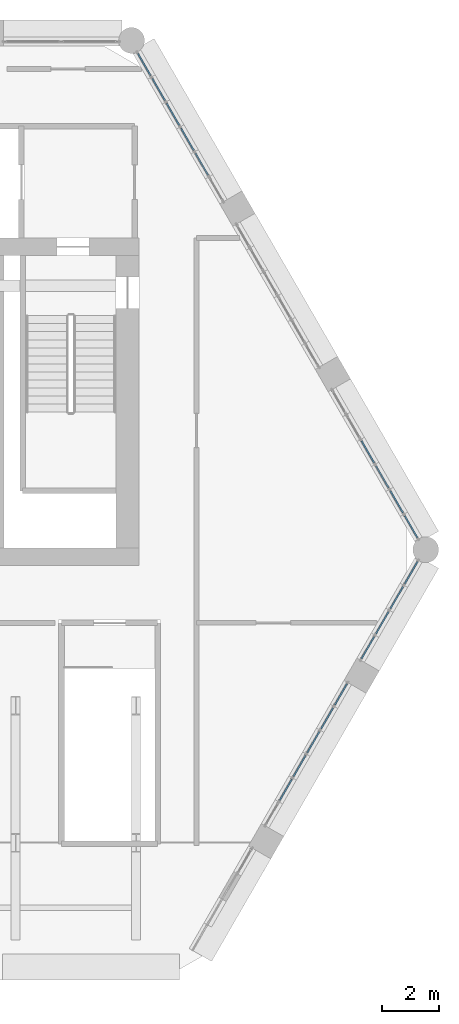
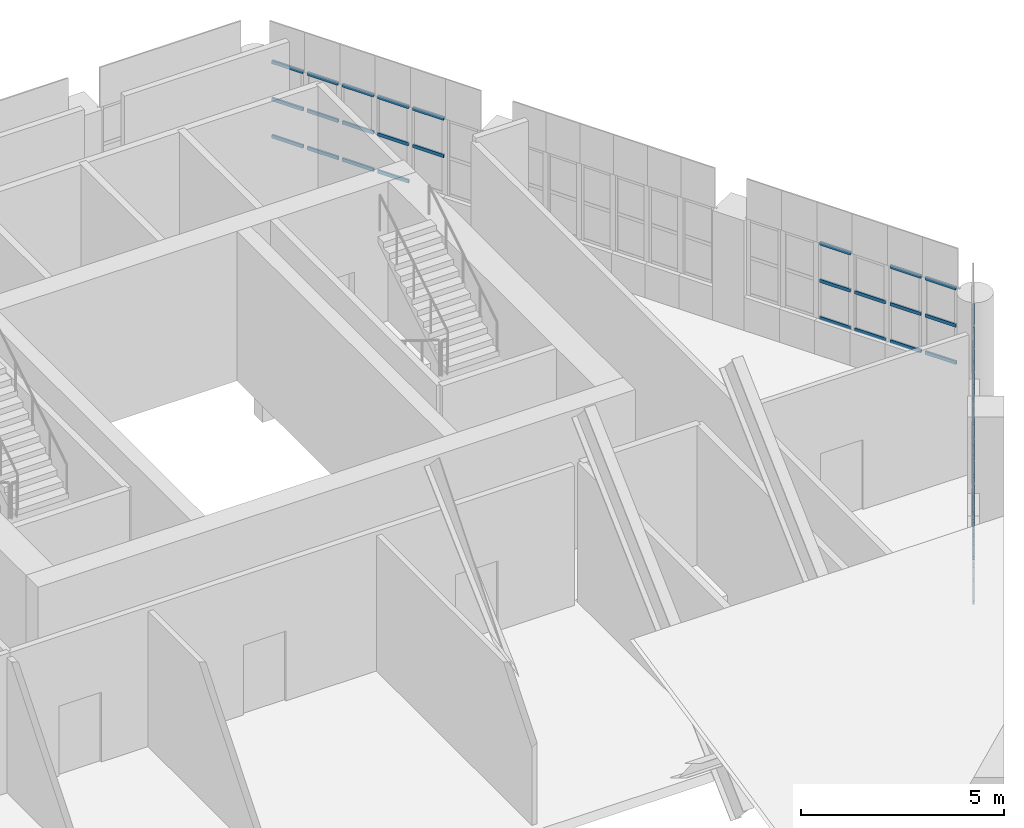
# One storey, part 16 of 25: 52 members, 18 elements without a shape of their own.
"""IFC4 building model written with IfcOpenShell, lengths in metres."""

from ifc_helpers import new_model, si_unit, direction, frame, origin, origin_2d, place, context, subcontext, project, spatial, hollow_rectangle, extrude, material, material_profile, profile_set, type_object, element, aggregate, save


model = new_model("IFC4")

# Units and contexts
model_context = context("Model", 3, precision=1e-05, world=origin(), true_north=direction((0.0, 1.0)))
body_context = subcontext(model_context, "Body", "Model", "MODEL_VIEW")
ifc_project = project(units=[si_unit("LENGTHUNIT", "METRE"), si_unit("AREAUNIT", "SQUARE_METRE"), si_unit("VOLUMEUNIT", "CUBIC_METRE"), si_unit("PLANEANGLEUNIT", "RADIAN"), si_unit("MASSUNIT", "GRAM", prefix="KILO")], contexts=[model_context])

# Site, building, storey
site_placement = place(None, origin())
site = spatial("IfcSite", under=ifc_project, at=site_placement, CompositionType="ELEMENT")
building_placement = place(site_placement, origin())
building = spatial("IfcBuilding", under=site, at=building_placement, Name="Ostrander Bayou Hotel Tower", CompositionType="ELEMENT")
storey_placement = place(building_placement, frame((0.0, 0.0, 275.0)))
storey = spatial("IfcBuildingStorey", under=building, at=storey_placement, Name="L68", CompositionType="ELEMENT", Elevation=275.0)

# Curtain wall, members
ifc_material_1 = material(Name="Aluminium and clear glass", Category="aluminium")
curtain_wall_type = type_object("IfcCurtainWallType", Name="CW-CROWN glazed wall", PredefinedType="NOTDEFINED", material=ifc_material_1)
curtain_wall_1_placement = place(storey_placement, origin())
curtain_wall_1 = element("IfcCurtainWall", 1, at=curtain_wall_1_placement, inside=storey, type_object=curtain_wall_type, Name="CW-CROWN L68:SE-2-2", PredefinedType="NOTDEFINED")
ifc_material_2 = material(Name="Aluminium", Category="aluminium")
ifc_material_profile = material_profile(ifc_material_2, hollow_rectangle(XDim=0.050048828125, YDim=0.10009765625, WallThickness=0.00390625, at=origin_2d()))
ifc_profile_set = profile_set([ifc_material_profile], Name="Aluminium")
member_type = type_object("IfcMemberType", Name="CW-CR transom 50 x 100 mm", PredefinedType="USERDEFINED", material=ifc_profile_set)
member_1_placement = place(storey_placement, frame((13.40283203125, -9.885498046875, 1.030029296875), z_axis=(0.500016035621, 0.866016145416, 0.0), x_axis=(-0.866016145416, 0.500016035621, 0.0)))
member_1 = element("IfcMember", 2, at=member_1_placement, type_object=member_type, Name="CW-CROWN transom 1.1", ObjectType="TRANSOM", PredefinedType="USERDEFINED", context=body_context, shape_type="SweptSolid", body=[
    extrude(hollow_rectangle(XDim=0.050048828125, YDim=0.10009765625, WallThickness=0.00390625, at=origin_2d()), origin(), (0.0, 0.0, 1.0), 0.83984375),
])
member_2_placement = place(storey_placement, frame((13.40283203125, -9.885498046875, 2.14990234375), z_axis=(0.500016035621, 0.866016145416, 0.0), x_axis=(-0.866016145416, 0.500016035621, 0.0)))
member_2 = element("IfcMember", 3, at=member_2_placement, type_object=member_type, Name="CW-CROWN transom 1.2", ObjectType="TRANSOM", PredefinedType="USERDEFINED", context=body_context, shape_type="SweptSolid", body=[
    extrude(hollow_rectangle(XDim=0.050048828125, YDim=0.10009765625, WallThickness=0.00390625, at=origin_2d()), origin(), (0.0, 0.0, 1.0), 0.83984375),
])
member_3_placement = place(storey_placement, frame((13.40283203125, -9.885498046875, 3.27001953125), z_axis=(0.500016035621, 0.866016145416, 0.0), x_axis=(-0.866016145416, 0.500016035621, 0.0)))
member_3 = element("IfcMember", 4, at=member_3_placement, type_object=member_type, Name="CW-CROWN transom 1.3", ObjectType="TRANSOM", PredefinedType="USERDEFINED", context=body_context, shape_type="SweptSolid", body=[
    extrude(hollow_rectangle(XDim=0.050048828125, YDim=0.10009765625, WallThickness=0.00390625, at=origin_2d()), origin(), (0.0, 0.0, 1.0), 0.83984375),
])
aggregate(curtain_wall_1, [member_1, member_2, member_3])

curtain_wall_2_placement = place(storey_placement, origin())
curtain_wall_2 = element("IfcCurtainWall", 5, at=curtain_wall_2_placement, inside=storey, type_object=curtain_wall_type, Name="CW-CROWN L68:SE-2-3", PredefinedType="NOTDEFINED")
member_4_placement = place(storey_placement, frame((13.8828125, -9.05419921875, 1.030029296875), z_axis=(0.500016035621, 0.866016145416, 0.0), x_axis=(-0.866016145416, 0.500016035621, 0.0)))
member_4 = element("IfcMember", 6, at=member_4_placement, type_object=member_type, Name="CW-CROWN transom 1.1", ObjectType="TRANSOM", PredefinedType="USERDEFINED", context=body_context, shape_type="SweptSolid", body=[
    extrude(hollow_rectangle(XDim=0.050048828125, YDim=0.10009765625, WallThickness=0.00390625, at=origin_2d()), origin(), (0.0, 0.0, 1.0), 0.83984375),
])
member_5_placement = place(storey_placement, frame((13.8828125, -9.05419921875, 2.14990234375), z_axis=(0.500016035621, 0.866016145416, 0.0), x_axis=(-0.866016145416, 0.500016035621, 0.0)))
member_5 = element("IfcMember", 7, at=member_5_placement, type_object=member_type, Name="CW-CROWN transom 1.2", ObjectType="TRANSOM", PredefinedType="USERDEFINED", context=body_context, shape_type="SweptSolid", body=[
    extrude(hollow_rectangle(XDim=0.050048828125, YDim=0.10009765625, WallThickness=0.00390625, at=origin_2d()), origin(), (0.0, 0.0, 1.0), 0.83984375),
])
member_6_placement = place(storey_placement, frame((13.8828125, -9.05419921875, 3.27001953125), z_axis=(0.500016035621, 0.866016145416, 0.0), x_axis=(-0.866016145416, 0.500016035621, 0.0)))
member_6 = element("IfcMember", 8, at=member_6_placement, type_object=member_type, Name="CW-CROWN transom 1.3", ObjectType="TRANSOM", PredefinedType="USERDEFINED", context=body_context, shape_type="SweptSolid", body=[
    extrude(hollow_rectangle(XDim=0.050048828125, YDim=0.10009765625, WallThickness=0.00390625, at=origin_2d()), origin(), (0.0, 0.0, 1.0), 0.83984375),
])
aggregate(curtain_wall_2, [member_4, member_5, member_6])

curtain_wall_3_placement = place(storey_placement, origin())
curtain_wall_3 = element("IfcCurtainWall", 9, at=curtain_wall_3_placement, inside=storey, type_object=curtain_wall_type, Name="CW-CROWN L68:SE-2-4", PredefinedType="NOTDEFINED")
member_7_placement = place(storey_placement, frame((14.36279296875, -8.22314453125, 1.030029296875), z_axis=(0.500016035621, 0.866016145416, 0.0), x_axis=(-0.866016145416, 0.500016035621, 0.0)))
member_7 = element("IfcMember", 10, at=member_7_placement, type_object=member_type, Name="CW-CROWN transom 1.1", ObjectType="TRANSOM", PredefinedType="USERDEFINED", context=body_context, shape_type="SweptSolid", body=[
    extrude(hollow_rectangle(XDim=0.050048828125, YDim=0.10009765625, WallThickness=0.00390625, at=origin_2d()), origin(), (0.0, 0.0, 1.0), 0.83984375),
])
member_8_placement = place(storey_placement, frame((14.36279296875, -8.22314453125, 2.14990234375), z_axis=(0.500016035621, 0.866016145416, 0.0), x_axis=(-0.866016145416, 0.500016035621, 0.0)))
member_8 = element("IfcMember", 11, at=member_8_placement, type_object=member_type, Name="CW-CROWN transom 1.2", ObjectType="TRANSOM", PredefinedType="USERDEFINED", context=body_context, shape_type="SweptSolid", body=[
    extrude(hollow_rectangle(XDim=0.050048828125, YDim=0.10009765625, WallThickness=0.00390625, at=origin_2d()), origin(), (0.0, 0.0, 1.0), 0.83984375),
])
member_9_placement = place(storey_placement, frame((14.36279296875, -8.22314453125, 3.27001953125), z_axis=(0.500016035621, 0.866016145416, 0.0), x_axis=(-0.866016145416, 0.500016035621, 0.0)))
member_9 = element("IfcMember", 12, at=member_9_placement, type_object=member_type, Name="CW-CROWN transom 1.3", ObjectType="TRANSOM", PredefinedType="USERDEFINED", context=body_context, shape_type="SweptSolid", body=[
    extrude(hollow_rectangle(XDim=0.050048828125, YDim=0.10009765625, WallThickness=0.00390625, at=origin_2d()), origin(), (0.0, 0.0, 1.0), 0.83984375),
])
aggregate(curtain_wall_3, [member_7, member_8, member_9])

curtain_wall_4_placement = place(storey_placement, origin())
curtain_wall_4 = element("IfcCurtainWall", 13, at=curtain_wall_4_placement, inside=storey, type_object=curtain_wall_type, Name="CW-CROWN L68:SE-2-5", PredefinedType="NOTDEFINED")
member_10_placement = place(storey_placement, frame((14.842529296875, -7.391845703125, 1.030029296875), z_axis=(0.500016035621, 0.866016145416, 0.0), x_axis=(-0.866016145416, 0.500016035621, 0.0)))
member_10 = element("IfcMember", 14, at=member_10_placement, type_object=member_type, Name="CW-CROWN transom 1.1", ObjectType="TRANSOM", PredefinedType="USERDEFINED", context=body_context, shape_type="SweptSolid", body=[
    extrude(hollow_rectangle(XDim=0.050048828125, YDim=0.10009765625, WallThickness=0.00390625, at=origin_2d()), origin(), (0.0, 0.0, 1.0), 0.83984375),
])
member_11_placement = place(storey_placement, frame((14.842529296875, -7.391845703125, 2.14990234375), z_axis=(0.500016035621, 0.866016145416, 0.0), x_axis=(-0.866016145416, 0.500016035621, 0.0)))
member_11 = element("IfcMember", 15, at=member_11_placement, type_object=member_type, Name="CW-CROWN transom 1.2", ObjectType="TRANSOM", PredefinedType="USERDEFINED", context=body_context, shape_type="SweptSolid", body=[
    extrude(hollow_rectangle(XDim=0.050048828125, YDim=0.10009765625, WallThickness=0.00390625, at=origin_2d()), origin(), (0.0, 0.0, 1.0), 0.83984375),
])
member_12_placement = place(storey_placement, frame((14.842529296875, -7.391845703125, 3.27001953125), z_axis=(0.500016035621, 0.866016145416, 0.0), x_axis=(-0.866016145416, 0.500016035621, 0.0)))
member_12 = element("IfcMember", 16, at=member_12_placement, type_object=member_type, Name="CW-CROWN transom 1.3", ObjectType="TRANSOM", PredefinedType="USERDEFINED", context=body_context, shape_type="SweptSolid", body=[
    extrude(hollow_rectangle(XDim=0.050048828125, YDim=0.10009765625, WallThickness=0.00390625, at=origin_2d()), origin(), (0.0, 0.0, 1.0), 0.83984375),
])
aggregate(curtain_wall_4, [member_10, member_11, member_12])

curtain_wall_5_placement = place(storey_placement, origin())
curtain_wall_5 = element("IfcCurtainWall", 17, at=curtain_wall_5_placement, inside=storey, type_object=curtain_wall_type, Name="CW-CROWN L68:SE-2-6", PredefinedType="NOTDEFINED")
member_13_placement = place(storey_placement, frame((15.322509765625, -6.560546875, 1.030029296875), z_axis=(0.500016035621, 0.866016145416, 0.0), x_axis=(-0.866016145416, 0.500016035621, 0.0)))
member_13 = element("IfcMember", 18, at=member_13_placement, type_object=member_type, Name="CW-CROWN transom 1.1", ObjectType="TRANSOM", PredefinedType="USERDEFINED", context=body_context, shape_type="SweptSolid", body=[
    extrude(hollow_rectangle(XDim=0.050048828125, YDim=0.10009765625, WallThickness=0.00390625, at=origin_2d()), origin(), (0.0, 0.0, 1.0), 0.83984375),
])
member_14_placement = place(storey_placement, frame((15.322509765625, -6.560546875, 2.14990234375), z_axis=(0.500016035621, 0.866016145416, 0.0), x_axis=(-0.866016145416, 0.500016035621, 0.0)))
member_14 = element("IfcMember", 19, at=member_14_placement, type_object=member_type, Name="CW-CROWN transom 1.2", ObjectType="TRANSOM", PredefinedType="USERDEFINED", context=body_context, shape_type="SweptSolid", body=[
    extrude(hollow_rectangle(XDim=0.050048828125, YDim=0.10009765625, WallThickness=0.00390625, at=origin_2d()), origin(), (0.0, 0.0, 1.0), 0.83984375),
])
member_15_placement = place(storey_placement, frame((15.322509765625, -6.560546875, 3.27001953125), z_axis=(0.500016035621, 0.866016145416, 0.0), x_axis=(-0.866016145416, 0.500016035621, 0.0)))
member_15 = element("IfcMember", 20, at=member_15_placement, type_object=member_type, Name="CW-CROWN transom 1.3", ObjectType="TRANSOM", PredefinedType="USERDEFINED", context=body_context, shape_type="SweptSolid", body=[
    extrude(hollow_rectangle(XDim=0.050048828125, YDim=0.10009765625, WallThickness=0.00390625, at=origin_2d()), origin(), (0.0, 0.0, 1.0), 0.83984375),
])
aggregate(curtain_wall_5, [member_13, member_14, member_15])

curtain_wall_6_placement = place(storey_placement, origin())
curtain_wall_6 = element("IfcCurtainWall", 21, at=curtain_wall_6_placement, inside=storey, type_object=curtain_wall_type, Name="CW-CROWN L68:SE-3-1", PredefinedType="NOTDEFINED")
member_16_placement = place(storey_placement, frame((16.25244140625, -4.949951171875, 1.030029296875), z_axis=(0.500001430823, 0.866024577697, 0.0), x_axis=(-0.866024577697, 0.500001430823, 0.0)))
member_16 = element("IfcMember", 22, at=member_16_placement, type_object=member_type, Name="CW-CROWN transom 1.1", ObjectType="TRANSOM", PredefinedType="USERDEFINED", context=body_context, shape_type="SweptSolid", body=[
    extrude(hollow_rectangle(XDim=0.050048828125, YDim=0.10009765625, WallThickness=0.00390625, at=origin_2d()), origin(), (0.0, 0.0, 1.0), 0.8837890625),
])
member_17_placement = place(storey_placement, frame((16.25244140625, -4.949951171875, 2.14990234375), z_axis=(0.500001430823, 0.866024577697, 0.0), x_axis=(-0.866024577697, 0.500001430823, 0.0)))
member_17 = element("IfcMember", 23, at=member_17_placement, type_object=member_type, Name="CW-CROWN transom 1.2", ObjectType="TRANSOM", PredefinedType="USERDEFINED", context=body_context, shape_type="SweptSolid", body=[
    extrude(hollow_rectangle(XDim=0.050048828125, YDim=0.10009765625, WallThickness=0.00390625, at=origin_2d()), origin(), (0.0, 0.0, 1.0), 0.8837890625),
])
member_18_placement = place(storey_placement, frame((16.25244140625, -4.949951171875, 3.27001953125), z_axis=(0.500001430823, 0.866024577697, 0.0), x_axis=(-0.866024577697, 0.500001430823, 0.0)))
member_18 = element("IfcMember", 24, at=member_18_placement, type_object=member_type, Name="CW-CROWN transom 1.3", ObjectType="TRANSOM", PredefinedType="USERDEFINED", context=body_context, shape_type="SweptSolid", body=[
    extrude(hollow_rectangle(XDim=0.050048828125, YDim=0.10009765625, WallThickness=0.00390625, at=origin_2d()), origin(), (0.0, 0.0, 1.0), 0.8837890625),
])
aggregate(curtain_wall_6, [member_16, member_17, member_18])

curtain_wall_7_placement = place(storey_placement, origin())
curtain_wall_7 = element("IfcCurtainWall", 25, at=curtain_wall_7_placement, inside=storey, type_object=curtain_wall_type, Name="CW-CROWN L68:SE-3-2", PredefinedType="NOTDEFINED")
member_19_placement = place(storey_placement, frame((16.75439453125, -4.080810546875, 1.030029296875), z_axis=(0.499881837328, 0.866093614288, 0.0), x_axis=(-0.866093614288, 0.499881837328, 0.0)))
member_19 = element("IfcMember", 26, at=member_19_placement, type_object=member_type, Name="CW-CROWN transom 1.1", ObjectType="TRANSOM", PredefinedType="USERDEFINED", context=body_context, shape_type="SweptSolid", body=[
    extrude(hollow_rectangle(XDim=0.050048828125, YDim=0.10009765625, WallThickness=0.00390625, at=origin_2d()), origin(), (0.0, 0.0, 1.0), 0.884033203125),
])
member_20_placement = place(storey_placement, frame((16.75439453125, -4.080810546875, 2.14990234375), z_axis=(0.499881837328, 0.866093614288, 0.0), x_axis=(-0.866093614288, 0.499881837328, 0.0)))
member_20 = element("IfcMember", 27, at=member_20_placement, type_object=member_type, Name="CW-CROWN transom 1.2", ObjectType="TRANSOM", PredefinedType="USERDEFINED", context=body_context, shape_type="SweptSolid", body=[
    extrude(hollow_rectangle(XDim=0.050048828125, YDim=0.10009765625, WallThickness=0.00390625, at=origin_2d()), origin(), (0.0, 0.0, 1.0), 0.884033203125),
])
member_21_placement = place(storey_placement, frame((16.75439453125, -4.080810546875, 3.27001953125), z_axis=(0.499881837328, 0.866093614288, 0.0), x_axis=(-0.866093614288, 0.499881837328, 0.0)))
member_21 = element("IfcMember", 28, at=member_21_placement, type_object=member_type, Name="CW-CROWN transom 1.3", ObjectType="TRANSOM", PredefinedType="USERDEFINED", context=body_context, shape_type="SweptSolid", body=[
    extrude(hollow_rectangle(XDim=0.050048828125, YDim=0.10009765625, WallThickness=0.00390625, at=origin_2d()), origin(), (0.0, 0.0, 1.0), 0.884033203125),
])
aggregate(curtain_wall_7, [member_19, member_20, member_21])

curtain_wall_8_placement = place(storey_placement, origin())
curtain_wall_8 = element("IfcCurtainWall", 29, at=curtain_wall_8_placement, inside=storey, type_object=curtain_wall_type, Name="CW-CROWN L68:SE-3-3", PredefinedType="NOTDEFINED")
member_22_placement = place(storey_placement, frame((17.256103515625, -3.21142578125, 1.030029296875), z_axis=(0.500001430823, 0.866024577697, 0.0), x_axis=(-0.866024577697, 0.500001430823, 0.0)))
member_22 = element("IfcMember", 30, at=member_22_placement, type_object=member_type, Name="CW-CROWN transom 1.1", ObjectType="TRANSOM", PredefinedType="USERDEFINED", context=body_context, shape_type="SweptSolid", body=[
    extrude(hollow_rectangle(XDim=0.050048828125, YDim=0.10009765625, WallThickness=0.00390625, at=origin_2d()), origin(), (0.0, 0.0, 1.0), 0.8837890625),
])
member_23_placement = place(storey_placement, frame((17.256103515625, -3.21142578125, 2.14990234375), z_axis=(0.500001430823, 0.866024577697, 0.0), x_axis=(-0.866024577697, 0.500001430823, 0.0)))
member_23 = element("IfcMember", 31, at=member_23_placement, type_object=member_type, Name="CW-CROWN transom 1.2", ObjectType="TRANSOM", PredefinedType="USERDEFINED", context=body_context, shape_type="SweptSolid", body=[
    extrude(hollow_rectangle(XDim=0.050048828125, YDim=0.10009765625, WallThickness=0.00390625, at=origin_2d()), origin(), (0.0, 0.0, 1.0), 0.8837890625),
])
member_24_placement = place(storey_placement, frame((17.256103515625, -3.21142578125, 3.27001953125), z_axis=(0.500001430823, 0.866024577697, 0.0), x_axis=(-0.866024577697, 0.500001430823, 0.0)))
member_24 = element("IfcMember", 32, at=member_24_placement, type_object=member_type, Name="CW-CROWN transom 1.3", ObjectType="TRANSOM", PredefinedType="USERDEFINED", context=body_context, shape_type="SweptSolid", body=[
    extrude(hollow_rectangle(XDim=0.050048828125, YDim=0.10009765625, WallThickness=0.00390625, at=origin_2d()), origin(), (0.0, 0.0, 1.0), 0.8837890625),
])
aggregate(curtain_wall_8, [member_22, member_23, member_24])

curtain_wall_9_placement = place(storey_placement, origin())
curtain_wall_9 = element("IfcCurtainWall", 33, at=curtain_wall_9_placement, inside=storey, type_object=curtain_wall_type, Name="CW-CROWN L68:SE-3-4", PredefinedType="NOTDEFINED")
member_25_placement = place(storey_placement, frame((17.758056640625, -2.342041015625, 1.030029296875), z_axis=(0.500001430823, 0.866024577697, 0.0), x_axis=(-0.866024577697, 0.500001430823, 0.0)))
member_25 = element("IfcMember", 34, at=member_25_placement, type_object=member_type, Name="CW-CROWN transom 1.1", ObjectType="TRANSOM", PredefinedType="USERDEFINED", context=body_context, shape_type="SweptSolid", body=[
    extrude(hollow_rectangle(XDim=0.050048828125, YDim=0.10009765625, WallThickness=0.00390625, at=origin_2d()), origin(), (0.0, 0.0, 1.0), 0.8837890625),
])
member_26_placement = place(storey_placement, frame((17.758056640625, -2.342041015625, 2.14990234375), z_axis=(0.500001430823, 0.866024577697, 0.0), x_axis=(-0.866024577697, 0.500001430823, 0.0)))
member_26 = element("IfcMember", 35, at=member_26_placement, type_object=member_type, Name="CW-CROWN transom 1.2", ObjectType="TRANSOM", PredefinedType="USERDEFINED", context=body_context, shape_type="SweptSolid", body=[
    extrude(hollow_rectangle(XDim=0.050048828125, YDim=0.10009765625, WallThickness=0.00390625, at=origin_2d()), origin(), (0.0, 0.0, 1.0), 0.8837890625),
])
member_27_placement = place(storey_placement, frame((17.758056640625, -2.342041015625, 3.27001953125), z_axis=(0.500001430823, 0.866024577697, 0.0), x_axis=(-0.866024577697, 0.500001430823, 0.0)))
member_27 = element("IfcMember", 36, at=member_27_placement, type_object=member_type, Name="CW-CROWN transom 1.3", ObjectType="TRANSOM", PredefinedType="USERDEFINED", context=body_context, shape_type="SweptSolid", body=[
    extrude(hollow_rectangle(XDim=0.050048828125, YDim=0.10009765625, WallThickness=0.00390625, at=origin_2d()), origin(), (0.0, 0.0, 1.0), 0.8837890625),
])
aggregate(curtain_wall_9, [member_25, member_26, member_27])

curtain_wall_10_placement = place(storey_placement, origin())
curtain_wall_10 = element("IfcCurtainWall", 37, at=curtain_wall_10_placement, inside=storey, type_object=curtain_wall_type, Name="CW-CROWN L68:NE-1-1", PredefinedType="NOTDEFINED")
member_28_placement = place(storey_placement, frame((18.2001953125, -0.736328125, 1.030029296875), z_axis=(-0.500153222552, 0.865936922628, 0.0), x_axis=(-0.865936922628, -0.500153222552, 0.0)))
member_28 = element("IfcMember", 38, at=member_28_placement, type_object=member_type, Name="CW-CROWN transom 1.1", ObjectType="TRANSOM", PredefinedType="USERDEFINED", context=body_context, shape_type="SweptSolid", body=[
    extrude(hollow_rectangle(XDim=0.050048828125, YDim=0.10009765625, WallThickness=0.00390625, at=origin_2d()), origin(), (0.0, 0.0, 1.0), 0.883056640625),
])
member_29_placement = place(storey_placement, frame((18.2001953125, -0.736328125, 2.14990234375), z_axis=(-0.500153222552, 0.865936922628, 0.0), x_axis=(-0.865936922628, -0.500153222552, 0.0)))
member_29 = element("IfcMember", 39, at=member_29_placement, type_object=member_type, Name="CW-CROWN transom 1.2", ObjectType="TRANSOM", PredefinedType="USERDEFINED", context=body_context, shape_type="SweptSolid", body=[
    extrude(hollow_rectangle(XDim=0.050048828125, YDim=0.10009765625, WallThickness=0.00390625, at=origin_2d()), origin(), (0.0, 0.0, 1.0), 0.883056640625),
])
member_30_placement = place(storey_placement, frame((18.2001953125, -0.736328125, 3.27001953125), z_axis=(-0.500153222552, 0.865936922628, 0.0), x_axis=(-0.865936922628, -0.500153222552, 0.0)))
member_30 = element("IfcMember", 40, at=member_30_placement, type_object=member_type, Name="CW-CROWN transom 1.3", ObjectType="TRANSOM", PredefinedType="USERDEFINED", context=body_context, shape_type="SweptSolid", body=[
    extrude(hollow_rectangle(XDim=0.050048828125, YDim=0.10009765625, WallThickness=0.00390625, at=origin_2d()), origin(), (0.0, 0.0, 1.0), 0.883056640625),
])
aggregate(curtain_wall_10, [member_28, member_29, member_30])

curtain_wall_11_placement = place(storey_placement, origin())
curtain_wall_11 = element("IfcCurtainWall", 41, at=curtain_wall_11_placement, inside=storey, type_object=curtain_wall_type, Name="CW-CROWN L68:NE-1-2", PredefinedType="NOTDEFINED")
member_31_placement = place(storey_placement, frame((17.698486328125, 0.13232421875, 1.030029296875), z_axis=(-0.499945861543, 0.866056658381, 0.0), x_axis=(-0.866056658381, -0.499945861543, 0.0)))
member_31 = element("IfcMember", 42, at=member_31_placement, type_object=member_type, Name="CW-CROWN transom 1.1", ObjectType="TRANSOM", PredefinedType="USERDEFINED", context=body_context, shape_type="SweptSolid", body=[
    extrude(hollow_rectangle(XDim=0.050048828125, YDim=0.10009765625, WallThickness=0.00390625, at=origin_2d()), origin(), (0.0, 0.0, 1.0), 0.8828125),
])
member_32_placement = place(storey_placement, frame((17.698486328125, 0.13232421875, 2.14990234375), z_axis=(-0.499945861543, 0.866056658381, 0.0), x_axis=(-0.866056658381, -0.499945861543, 0.0)))
member_32 = element("IfcMember", 43, at=member_32_placement, type_object=member_type, Name="CW-CROWN transom 1.2", ObjectType="TRANSOM", PredefinedType="USERDEFINED", context=body_context, shape_type="SweptSolid", body=[
    extrude(hollow_rectangle(XDim=0.050048828125, YDim=0.10009765625, WallThickness=0.00390625, at=origin_2d()), origin(), (0.0, 0.0, 1.0), 0.8828125),
])
member_33_placement = place(storey_placement, frame((17.698486328125, 0.13232421875, 3.27001953125), z_axis=(-0.499945861543, 0.866056658381, 0.0), x_axis=(-0.866056658381, -0.499945861543, 0.0)))
member_33 = element("IfcMember", 44, at=member_33_placement, type_object=member_type, Name="CW-CROWN transom 1.3", ObjectType="TRANSOM", PredefinedType="USERDEFINED", context=body_context, shape_type="SweptSolid", body=[
    extrude(hollow_rectangle(XDim=0.050048828125, YDim=0.10009765625, WallThickness=0.00390625, at=origin_2d()), origin(), (0.0, 0.0, 1.0), 0.8828125),
])
aggregate(curtain_wall_11, [member_31, member_32, member_33])

curtain_wall_12_placement = place(storey_placement, origin())
curtain_wall_12 = element("IfcCurtainWall", 45, at=curtain_wall_12_placement, inside=storey, type_object=curtain_wall_type, Name="CW-CROWN L68:NE-1-3", PredefinedType="NOTDEFINED")
member_34_placement = place(storey_placement, frame((17.197021484375, 1.0009765625, 1.030029296875), z_axis=(-0.499945861543, 0.866056658381, 0.0), x_axis=(-0.866056658381, -0.499945861543, 0.0)))
member_34 = element("IfcMember", 46, at=member_34_placement, type_object=member_type, Name="CW-CROWN transom 1.1", ObjectType="TRANSOM", PredefinedType="USERDEFINED", context=body_context, shape_type="SweptSolid", body=[
    extrude(hollow_rectangle(XDim=0.050048828125, YDim=0.10009765625, WallThickness=0.00390625, at=origin_2d()), origin(), (0.0, 0.0, 1.0), 0.8828125),
])
member_35_placement = place(storey_placement, frame((17.197021484375, 1.0009765625, 2.14990234375), z_axis=(-0.499945861543, 0.866056658381, 0.0), x_axis=(-0.866056658381, -0.499945861543, 0.0)))
member_35 = element("IfcMember", 47, at=member_35_placement, type_object=member_type, Name="CW-CROWN transom 1.2", ObjectType="TRANSOM", PredefinedType="USERDEFINED", context=body_context, shape_type="SweptSolid", body=[
    extrude(hollow_rectangle(XDim=0.050048828125, YDim=0.10009765625, WallThickness=0.00390625, at=origin_2d()), origin(), (0.0, 0.0, 1.0), 0.8828125),
])
aggregate(curtain_wall_12, [member_34, member_35])

curtain_wall_13_placement = place(storey_placement, origin())
curtain_wall_13 = element("IfcCurtainWall", 48, at=curtain_wall_13_placement, inside=storey, type_object=curtain_wall_type, Name="CW-CROWN L68:NE-1-4", PredefinedType="NOTDEFINED")
member_36_placement = place(storey_placement, frame((16.695556640625, 1.86962890625, 1.030029296875), z_axis=(-0.500153222552, 0.865936922628, 0.0), x_axis=(-0.865936922628, -0.500153222552, 0.0)))
member_36 = element("IfcMember", 49, at=member_36_placement, type_object=member_type, Name="CW-CROWN transom 1.1", ObjectType="TRANSOM", PredefinedType="USERDEFINED", context=body_context, shape_type="SweptSolid", body=[
    extrude(hollow_rectangle(XDim=0.050048828125, YDim=0.10009765625, WallThickness=0.00390625, at=origin_2d()), origin(), (0.0, 0.0, 1.0), 0.883056640625),
])
member_37_placement = place(storey_placement, frame((16.695556640625, 1.86962890625, 2.14990234375), z_axis=(-0.500153222552, 0.865936922628, 0.0), x_axis=(-0.865936922628, -0.500153222552, 0.0)))
member_37 = element("IfcMember", 50, at=member_37_placement, type_object=member_type, Name="CW-CROWN transom 1.2", ObjectType="TRANSOM", PredefinedType="USERDEFINED", context=body_context, shape_type="SweptSolid", body=[
    extrude(hollow_rectangle(XDim=0.050048828125, YDim=0.10009765625, WallThickness=0.00390625, at=origin_2d()), origin(), (0.0, 0.0, 1.0), 0.883056640625),
])
member_38_placement = place(storey_placement, frame((16.695556640625, 1.86962890625, 3.27001953125), z_axis=(-0.500153222552, 0.865936922628, 0.0), x_axis=(-0.865936922628, -0.500153222552, 0.0)))
member_38 = element("IfcMember", 51, at=member_38_placement, type_object=member_type, Name="CW-CROWN transom 1.3", ObjectType="TRANSOM", PredefinedType="USERDEFINED", context=body_context, shape_type="SweptSolid", body=[
    extrude(hollow_rectangle(XDim=0.050048828125, YDim=0.10009765625, WallThickness=0.00390625, at=origin_2d()), origin(), (0.0, 0.0, 1.0), 0.883056640625),
])
aggregate(curtain_wall_13, [member_36, member_37, member_38])

curtain_wall_14_placement = place(storey_placement, origin())
curtain_wall_14 = element("IfcCurtainWall", 52, at=curtain_wall_14_placement, inside=storey, type_object=curtain_wall_type, Name="CW-CROWN L68:NE-3-2", PredefinedType="NOTDEFINED")
member_39_placement = place(storey_placement, frame((10.909912109375, 11.890625, 2.14990234375), z_axis=(-0.500153222552, 0.865936922628, 0.0), x_axis=(-0.865936922628, -0.500153222552, 0.0)))
member_39 = element("IfcMember", 53, at=member_39_placement, type_object=member_type, Name="CW-CROWN transom 1.2", ObjectType="TRANSOM", PredefinedType="USERDEFINED", context=body_context, shape_type="SweptSolid", body=[
    extrude(hollow_rectangle(XDim=0.050048828125, YDim=0.10009765625, WallThickness=0.00390625, at=origin_2d()), origin(), (0.0, 0.0, 1.0), 0.883056640625),
])
member_40_placement = place(storey_placement, frame((10.909912109375, 11.890625, 3.27001953125), z_axis=(-0.500153222552, 0.865936922628, 0.0), x_axis=(-0.865936922628, -0.500153222552, 0.0)))
member_40 = element("IfcMember", 54, at=member_40_placement, type_object=member_type, Name="CW-CROWN transom 1.3", ObjectType="TRANSOM", PredefinedType="USERDEFINED", context=body_context, shape_type="SweptSolid", body=[
    extrude(hollow_rectangle(XDim=0.050048828125, YDim=0.10009765625, WallThickness=0.00390625, at=origin_2d()), origin(), (0.0, 0.0, 1.0), 0.883056640625),
])
aggregate(curtain_wall_14, [member_39, member_40])

curtain_wall_15_placement = place(storey_placement, origin())
curtain_wall_15 = element("IfcCurtainWall", 55, at=curtain_wall_15_placement, inside=storey, type_object=curtain_wall_type, Name="CW-CROWN L68:NE-3-3", PredefinedType="NOTDEFINED")
member_41_placement = place(storey_placement, frame((10.408203125, 12.75927734375, 1.030029296875), z_axis=(-0.499826157957, 0.866125748273, 0.0), x_axis=(-0.866125748273, -0.499826157957, 0.0)))
member_41 = element("IfcMember", 56, at=member_41_placement, type_object=member_type, Name="CW-CROWN transom 1.1", ObjectType="TRANSOM", PredefinedType="USERDEFINED", context=body_context, shape_type="SweptSolid", body=[
    extrude(hollow_rectangle(XDim=0.050048828125, YDim=0.10009765625, WallThickness=0.00390625, at=origin_2d()), origin(), (0.0, 0.0, 1.0), 0.883056640625),
])
member_42_placement = place(storey_placement, frame((10.408203125, 12.75927734375, 2.14990234375), z_axis=(-0.499826157957, 0.866125748273, 0.0), x_axis=(-0.866125748273, -0.499826157957, 0.0)))
member_42 = element("IfcMember", 57, at=member_42_placement, type_object=member_type, Name="CW-CROWN transom 1.2", ObjectType="TRANSOM", PredefinedType="USERDEFINED", context=body_context, shape_type="SweptSolid", body=[
    extrude(hollow_rectangle(XDim=0.050048828125, YDim=0.10009765625, WallThickness=0.00390625, at=origin_2d()), origin(), (0.0, 0.0, 1.0), 0.883056640625),
])
member_43_placement = place(storey_placement, frame((10.408203125, 12.75927734375, 3.27001953125), z_axis=(-0.499826157957, 0.866125748273, 0.0), x_axis=(-0.866125748273, -0.499826157957, 0.0)))
member_43 = element("IfcMember", 58, at=member_43_placement, type_object=member_type, Name="CW-CROWN transom 1.3", ObjectType="TRANSOM", PredefinedType="USERDEFINED", context=body_context, shape_type="SweptSolid", body=[
    extrude(hollow_rectangle(XDim=0.050048828125, YDim=0.10009765625, WallThickness=0.00390625, at=origin_2d()), origin(), (0.0, 0.0, 1.0), 0.883056640625),
])
aggregate(curtain_wall_15, [member_41, member_42, member_43])

curtain_wall_16_placement = place(storey_placement, origin())
curtain_wall_16 = element("IfcCurtainWall", 59, at=curtain_wall_16_placement, inside=storey, type_object=curtain_wall_type, Name="CW-CROWN L68:NE-3-4", PredefinedType="NOTDEFINED")
member_44_placement = place(storey_placement, frame((9.90673828125, 13.628173828125, 1.030029296875), z_axis=(-0.500153222552, 0.865936922628, 0.0), x_axis=(-0.865936922628, -0.500153222552, 0.0)))
member_44 = element("IfcMember", 60, at=member_44_placement, type_object=member_type, Name="CW-CROWN transom 1.1", ObjectType="TRANSOM", PredefinedType="USERDEFINED", context=body_context, shape_type="SweptSolid", body=[
    extrude(hollow_rectangle(XDim=0.050048828125, YDim=0.10009765625, WallThickness=0.00390625, at=origin_2d()), origin(), (0.0, 0.0, 1.0), 0.883056640625),
])
member_45_placement = place(storey_placement, frame((9.90673828125, 13.628173828125, 2.14990234375), z_axis=(-0.500153222552, 0.865936922628, 0.0), x_axis=(-0.865936922628, -0.500153222552, 0.0)))
member_45 = element("IfcMember", 61, at=member_45_placement, type_object=member_type, Name="CW-CROWN transom 1.2", ObjectType="TRANSOM", PredefinedType="USERDEFINED", context=body_context, shape_type="SweptSolid", body=[
    extrude(hollow_rectangle(XDim=0.050048828125, YDim=0.10009765625, WallThickness=0.00390625, at=origin_2d()), origin(), (0.0, 0.0, 1.0), 0.883056640625),
])
member_46_placement = place(storey_placement, frame((9.90673828125, 13.628173828125, 3.27001953125), z_axis=(-0.500153222552, 0.865936922628, 0.0), x_axis=(-0.865936922628, -0.500153222552, 0.0)))
member_46 = element("IfcMember", 62, at=member_46_placement, type_object=member_type, Name="CW-CROWN transom 1.3", ObjectType="TRANSOM", PredefinedType="USERDEFINED", context=body_context, shape_type="SweptSolid", body=[
    extrude(hollow_rectangle(XDim=0.050048828125, YDim=0.10009765625, WallThickness=0.00390625, at=origin_2d()), origin(), (0.0, 0.0, 1.0), 0.883056640625),
])
aggregate(curtain_wall_16, [member_44, member_45, member_46])

curtain_wall_17_placement = place(storey_placement, origin())
curtain_wall_17 = element("IfcCurtainWall", 63, at=curtain_wall_17_placement, inside=storey, type_object=curtain_wall_type, Name="CW-CROWN L68:NE-3-5", PredefinedType="NOTDEFINED")
member_47_placement = place(storey_placement, frame((9.4052734375, 14.496826171875, 1.030029296875), z_axis=(-0.500033502416, 0.866006060292, 0.0), x_axis=(-0.866006060292, -0.500033502416, 0.0)))
member_47 = element("IfcMember", 64, at=member_47_placement, type_object=member_type, Name="CW-CROWN transom 1.1", ObjectType="TRANSOM", PredefinedType="USERDEFINED", context=body_context, shape_type="SweptSolid", body=[
    extrude(hollow_rectangle(XDim=0.050048828125, YDim=0.10009765625, WallThickness=0.00390625, at=origin_2d()), origin(), (0.0, 0.0, 1.0), 0.88330078125),
])
member_48_placement = place(storey_placement, frame((9.4052734375, 14.496826171875, 2.14990234375), z_axis=(-0.500033502416, 0.866006060292, 0.0), x_axis=(-0.866006060292, -0.500033502416, 0.0)))
member_48 = element("IfcMember", 65, at=member_48_placement, type_object=member_type, Name="CW-CROWN transom 1.2", ObjectType="TRANSOM", PredefinedType="USERDEFINED", context=body_context, shape_type="SweptSolid", body=[
    extrude(hollow_rectangle(XDim=0.050048828125, YDim=0.10009765625, WallThickness=0.00390625, at=origin_2d()), origin(), (0.0, 0.0, 1.0), 0.88330078125),
])
member_49_placement = place(storey_placement, frame((9.4052734375, 14.496826171875, 3.27001953125), z_axis=(-0.500033502416, 0.866006060292, 0.0), x_axis=(-0.866006060292, -0.500033502416, 0.0)))
member_49 = element("IfcMember", 66, at=member_49_placement, type_object=member_type, Name="CW-CROWN transom 1.3", ObjectType="TRANSOM", PredefinedType="USERDEFINED", context=body_context, shape_type="SweptSolid", body=[
    extrude(hollow_rectangle(XDim=0.050048828125, YDim=0.10009765625, WallThickness=0.00390625, at=origin_2d()), origin(), (0.0, 0.0, 1.0), 0.88330078125),
])
aggregate(curtain_wall_17, [member_47, member_48, member_49])

curtain_wall_18_placement = place(storey_placement, origin())
curtain_wall_18 = element("IfcCurtainWall", 67, at=curtain_wall_18_placement, inside=storey, type_object=curtain_wall_type, Name="CW-CROWN L68:NE-3-6", PredefinedType="NOTDEFINED")
member_50_placement = place(storey_placement, frame((8.903564453125, 15.365478515625, 1.030029296875), z_axis=(-0.500033502416, 0.866006060292, 0.0), x_axis=(-0.866006060292, -0.500033502416, 0.0)))
member_50 = element("IfcMember", 68, at=member_50_placement, type_object=member_type, Name="CW-CROWN transom 1.1", ObjectType="TRANSOM", PredefinedType="USERDEFINED", context=body_context, shape_type="SweptSolid", body=[
    extrude(hollow_rectangle(XDim=0.050048828125, YDim=0.10009765625, WallThickness=0.00390625, at=origin_2d()), origin(), (0.0, 0.0, 1.0), 0.88330078125),
])
member_51_placement = place(storey_placement, frame((8.903564453125, 15.365478515625, 2.14990234375), z_axis=(-0.500033502416, 0.866006060292, 0.0), x_axis=(-0.866006060292, -0.500033502416, 0.0)))
member_51 = element("IfcMember", 69, at=member_51_placement, type_object=member_type, Name="CW-CROWN transom 1.2", ObjectType="TRANSOM", PredefinedType="USERDEFINED", context=body_context, shape_type="SweptSolid", body=[
    extrude(hollow_rectangle(XDim=0.050048828125, YDim=0.10009765625, WallThickness=0.00390625, at=origin_2d()), origin(), (0.0, 0.0, 1.0), 0.88330078125),
])
member_52_placement = place(storey_placement, frame((8.903564453125, 15.365478515625, 3.27001953125), z_axis=(-0.500033502416, 0.866006060292, 0.0), x_axis=(-0.866006060292, -0.500033502416, 0.0)))
member_52 = element("IfcMember", 70, at=member_52_placement, type_object=member_type, Name="CW-CROWN transom 1.3", ObjectType="TRANSOM", PredefinedType="USERDEFINED", context=body_context, shape_type="SweptSolid", body=[
    extrude(hollow_rectangle(XDim=0.050048828125, YDim=0.10009765625, WallThickness=0.00390625, at=origin_2d()), origin(), (0.0, 0.0, 1.0), 0.88330078125),
])
aggregate(curtain_wall_18, [member_50, member_51, member_52])

save(model, "model.ifc")
